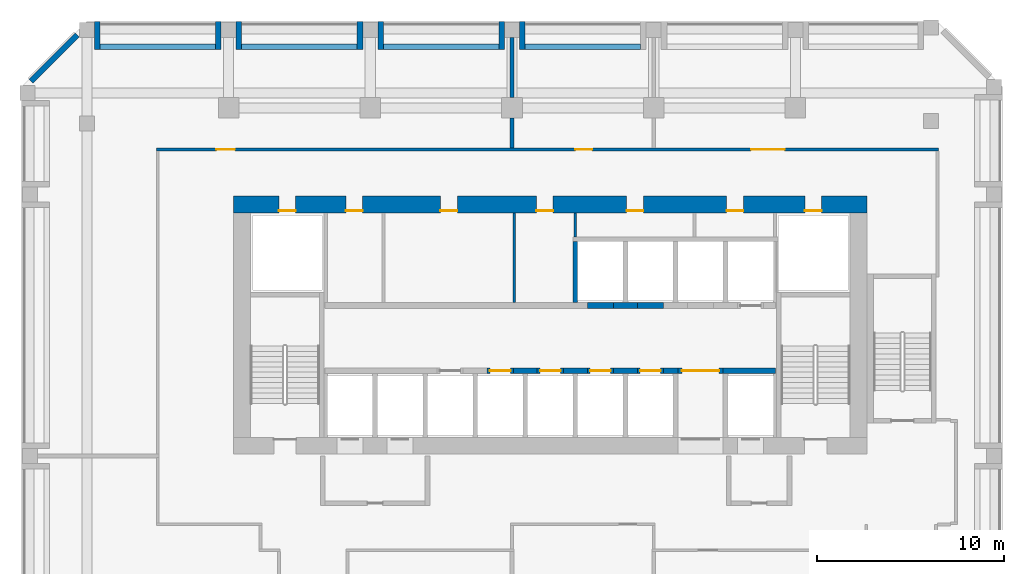
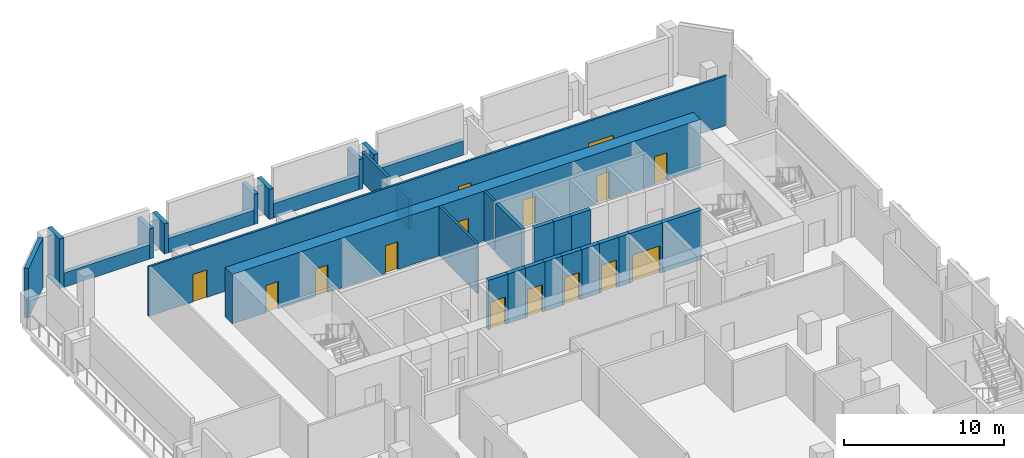
# One storey, part 5 of 10: 32 walls, 15 doors, 15 openings.
"""IFC4 building model written with IfcOpenShell, lengths in metres."""

from ifc_helpers import new_model, si_unit, direction, frame, frame_2d, origin, place, context, subcontext, project, spatial, rectangle, extrude, source, transform, mapped, material, layer, layer_set, type_object, element, fill, save


model = new_model("IFC4")

# Units and contexts
model_context = context("Model", 3, precision=1e-05, world=origin(), true_north=direction((0.0, 1.0)))
body_context = subcontext(model_context, "Body", "Model", "MODEL_VIEW")
ifc_project = project(units=[si_unit("LENGTHUNIT", "METRE"), si_unit("AREAUNIT", "SQUARE_METRE"), si_unit("VOLUMEUNIT", "CUBIC_METRE"), si_unit("PLANEANGLEUNIT", "RADIAN"), si_unit("MASSUNIT", "GRAM", prefix="KILO")], contexts=[model_context])

# Site, building, storey
site_placement = place(None, origin())
site = spatial("IfcSite", under=ifc_project, at=site_placement, CompositionType="ELEMENT")
building_placement = place(site_placement, origin())
building = spatial("IfcBuilding", under=site, at=building_placement, Name="Kilnfold Tower and Market Hall", CompositionType="ELEMENT")
storey_placement = place(building_placement, frame((0.0, 0.0, 164.300048828125)))
storey = spatial("IfcBuildingStorey", under=building, at=storey_placement, Name="L38 Plant Transfer Level", CompositionType="ELEMENT", Elevation=164.300048828125)

# Wall, openings, doors
ifc_material_1 = material(Name="Gypsum board on steel studs", Category="steel")
ifc_layer_1 = layer(ifc_material_1, 0.14990234375)
ifc_layer_set_1 = layer_set([ifc_layer_1], Name="Gypsum board on steel studs")
wall_type_1 = type_object("IfcWallType", Name="WALL CORRIDOR 150", PredefinedType="PARTITIONING", material=ifc_layer_set_1)
wall_1_placement = place(storey_placement, frame((-20.033935546875, 24.39990234375, 0.0), z_axis=(0.0, 0.0, 1.0), x_axis=(1.0, 0.0, 0.0)))
wall_1 = element("IfcWall", 1, at=wall_1_placement, inside=storey, type_object=wall_type_1, Name="Partition LY25.29", PredefinedType="PARTITIONING", context=body_context, shape_type="SweptSolid", body=[
    extrude(rectangle(XDim=41.85888671875, YDim=0.14990234375, at=frame_2d((20.929443359375, 0.0))), origin(), (0.0, 0.0, 1.0), 3.800048828125),
])
opening_1_placement = place(wall_1_placement, frame((3.20703125, 0.0, 0.0)))
opening_1 = element("IfcOpeningElement", 2, at=opening_1_placement, cuts=wall_1, Name="Opening D4", PredefinedType="OPENING", context=body_context, shape_type="SweptSolid", body=[
    extrude(rectangle(XDim=1.0, YDim=2.10009765625, at=frame_2d((0.5, 1.050048828125))), frame((0.0, 0.0849609375, 0.0), z_axis=(0.0, -1.0, 0.0), x_axis=(1.0, 0.0, 0.0)), (0.0, 0.0, 1.0), 0.169921875),
])
opening_2_placement = place(wall_1_placement, frame((22.426025390625, 0.0, 0.0)))
opening_2 = element("IfcOpeningElement", 3, at=opening_2_placement, cuts=wall_1, Name="Opening D3", PredefinedType="OPENING", context=body_context, shape_type="SweptSolid", body=[
    extrude(rectangle(XDim=0.89990234375, YDim=2.10009765625, at=frame_2d((0.449951171875, 1.050048828125))), frame((0.0, 0.0849609375, 0.0), z_axis=(0.0, -1.0, 0.0), x_axis=(1.0, 0.0, 0.0)), (0.0, 0.0, 1.0), 0.169921875),
])
opening_3_placement = place(wall_1_placement, frame((31.826904296875, 0.0, 0.0)))
opening_3 = element("IfcOpeningElement", 4, at=opening_3_placement, cuts=wall_1, Name="Opening D5", PredefinedType="OPENING", context=body_context, shape_type="SweptSolid", body=[
    extrude(rectangle(XDim=1.800048828125, YDim=2.10009765625, at=frame_2d((0.89990234375, 1.050048828125))), frame((0.0, 0.0849609375, 0.0), z_axis=(0.0, -1.0, 0.0), x_axis=(1.0, 0.0, 0.0)), (0.0, 0.0, 1.0), 0.169921875),
])
ifc_material_2 = material(Name="Timber veneer door leaf in steel frame", Category="steel")
door_type_1 = type_object("IfcDoorType", Name="DOOR DOUBLE 1800 X2100", OperationType="NOTDEFINED", PredefinedType="DOOR", material=ifc_material_2)
door_1_placement = place(opening_3_placement, origin())
door_1 = element("IfcDoor", 5, at=door_1_placement, inside=storey, type_object=door_type_1, Name="Door D5", OperationType="DOUBLE_DOOR_SINGLE_SWING", OverallHeight=2.10009765625, OverallWidth=1.800048828125, PredefinedType="DOOR", context=body_context, shape_type="SweptSolid", body=[
    extrude(rectangle(XDim=1.800048828125, YDim=2.10009765625, at=frame_2d((0.89990234375, 1.050048828125))), frame((0.0, 0.02490234375, 0.0), z_axis=(0.0, -1.0, 0.0), x_axis=(1.0, 0.0, 0.0)), (0.0, 0.0, 1.0), 0.050048828125),
])
fill(opening_3, door_1)
ifc_material_3 = material(Name="Timber veneer door leaf in steel frame", Category="steel")
door_type_2 = type_object("IfcDoorType", Name="DOOR SERVICE 1000 X2100", OperationType="NOTDEFINED", PredefinedType="DOOR", material=ifc_material_3)
door_2_placement = place(opening_1_placement, origin())
door_2 = element("IfcDoor", 6, at=door_2_placement, inside=storey, type_object=door_type_2, Name="Door D4", OperationType="SINGLE_SWING_LEFT", OverallHeight=2.10009765625, OverallWidth=1.0, PredefinedType="DOOR", context=body_context, shape_type="SweptSolid", body=[
    extrude(rectangle(XDim=1.0, YDim=2.10009765625, at=frame_2d((0.5, 1.050048828125))), frame((0.0, 0.02490234375, 0.0), z_axis=(0.0, -1.0, 0.0), x_axis=(1.0, 0.0, 0.0)), (0.0, 0.0, 1.0), 0.050048828125),
])
fill(opening_1, door_2)
ifc_material_4 = material(Name="Timber veneer door leaf in steel frame", Category="steel")
door_type_3 = type_object("IfcDoorType", Name="DOOR WC 900 X2100", OperationType="NOTDEFINED", PredefinedType="DOOR", material=ifc_material_4)
door_3_placement = place(opening_2_placement, origin())
door_3 = element("IfcDoor", 7, at=door_3_placement, inside=storey, type_object=door_type_3, Name="Door D3", OperationType="SINGLE_SWING_RIGHT", OverallHeight=2.10009765625, OverallWidth=0.89990234375, PredefinedType="DOOR", context=body_context, shape_type="SweptSolid", body=[
    extrude(rectangle(XDim=0.89990234375, YDim=2.10009765625, at=frame_2d((0.449951171875, 1.050048828125))), frame((0.0, 0.02490234375, 0.0), z_axis=(0.0, -1.0, 0.0), x_axis=(1.0, 0.0, 0.0)), (0.0, 0.0, 1.0), 0.050048828125),
])
fill(opening_2, door_3)

# Walls
ifc_material_5 = material(Name="Gypsum board on steel studs", Category="steel")
ifc_layer_2 = layer(ifc_material_5, 0.199951171875)
ifc_layer_set_2 = layer_set([ifc_layer_2], Name="Gypsum board on steel studs")
wall_type_2 = type_object("IfcWallType", Name="WALL PARTY 200", PredefinedType="PARTITIONING", material=ifc_layer_set_2)
wall_2_placement = place(storey_placement, frame((-1.0, 24.47607421875, 0.0), z_axis=(0.0, 0.0, 1.0), x_axis=(0.0, 1.0, 0.0)))
element("IfcWall", 8, at=wall_2_placement, inside=storey, type_object=wall_type_2, Name="Partition LY25.54", PredefinedType="PARTITIONING", context=body_context, shape_type="SweptSolid", body=[
    extrude(rectangle(XDim=1.598876953125, YDim=0.199951171875, at=frame_2d((0.79931640625, 0.0))), origin(), (0.0, 0.0, 1.0), 2.300048828125),
])
wall_3_placement = place(storey_placement, frame((-1.0, 27.175048828125, 0.0), z_axis=(0.0, 0.0, 1.0), x_axis=(0.0, 1.0, 0.0)))
element("IfcWall", 9, at=wall_3_placement, inside=storey, type_object=wall_type_2, Name="Partition LY25.55", PredefinedType="PARTITIONING", context=body_context, shape_type="SweptSolid", body=[
    extrude(rectangle(XDim=3.224853515625, YDim=0.199951171875, at=frame_2d((1.6123046875, 0.0))), origin(), (0.0, 0.0, 1.0), 2.300048828125),
])
ifc_material_6 = material(Name="Concrete C70", Category="concrete")
ifc_layer_3 = layer(ifc_material_6, 0.300048828125)
ifc_layer_set_3 = layer_set([ifc_layer_3], Name="Concrete C70")
wall_type_3 = type_object("IfcWallType", Name="CORE WALL 300 C70", PredefinedType="SHEAR", material=ifc_layer_set_3)
shared_shape_1 = source(origin(), body_context, "Body", "SweptSolid", [
    extrude(rectangle(XDim=1.280029296875, YDim=0.300048828125, at=frame_2d((0.64013671875, 0.0))), origin(), (0.0, 0.0, 1.0), 3.800048828125),
])
for number, where, z_axis, x_axis, name in (
    (10, (-0.929931640625, 12.550048828125, 0.0), (0.0, 0.0, 1.0), (1.0, 0.0, 0.0), "Core spine wall"),
    (11, (1.75, 12.550048828125, 0.0), (0.0, 0.0, 1.0), (1.0, 0.0, 0.0), "Core spine wall"),
    (12, (4.429931640625, 12.550048828125, 0.0), (0.0, 0.0, 1.0), (1.0, 0.0, 0.0), "Core spine wall"),
    (13, (4.429931640625, 16.050048828125, 0.0), (0.0, 0.0, 1.0), (1.0, 0.0, 0.0), "Core spine wall"),
):
    element("IfcWall", number, at=place(storey_placement, frame(where, z_axis=z_axis, x_axis=x_axis)), inside=storey, type_object=wall_type_3, Name=name, PredefinedType="SHEAR", context=body_context, shape_type="MappedRepresentation", body=[
        mapped(shared_shape_1, transform((0.0, 0.0, 0.0))),
    ])
shared_shape_2 = source(origin(), body_context, "Body", "SweptSolid", [
    extrude(rectangle(XDim=0.77978515625, YDim=0.300048828125, at=frame_2d((0.389892578125, 0.0))), origin(), (0.0, 0.0, 1.0), 3.800048828125),
])
wall_4_placement = place(storey_placement, frame((7.110107421875, 12.550048828125, 0.0), z_axis=(0.0, 0.0, 1.0), x_axis=(1.0, 0.0, 0.0)))
element("IfcWall", 14, at=wall_4_placement, inside=storey, type_object=wall_type_3, Name="Core spine wall", PredefinedType="SHEAR", context=body_context, shape_type="MappedRepresentation", body=[
    mapped(shared_shape_2, transform((0.0, 0.0, 0.0))),
])
shared_shape_3 = source(origin(), body_context, "Body", "SweptSolid", [
    extrude(rectangle(XDim=2.820068359375, YDim=0.300048828125, at=frame_2d((1.41015625, 0.0))), origin(), (0.0, 0.0, 1.0), 3.800048828125),
])
wall_5_placement = place(storey_placement, frame((10.2900390625, 12.550048828125, 0.0), z_axis=(0.0, 0.0, 1.0), x_axis=(1.0, 0.0, 0.0)))
element("IfcWall", 15, at=wall_5_placement, inside=storey, type_object=wall_type_3, Name="Core spine wall", PredefinedType="SHEAR", context=body_context, shape_type="MappedRepresentation", body=[
    mapped(shared_shape_3, transform((0.0, 0.0, 0.0))),
])

# Wall, openings, doors
ifc_material_7 = material(Name="Concrete C70", Category="concrete")
ifc_layer_4 = layer(ifc_material_7, 0.89990234375)
ifc_layer_set_4 = layer_set([ifc_layer_4], Name="Concrete C70")
wall_type_4 = type_object("IfcWallType", Name="CORE WALL 900 C70", PredefinedType="SHEAR", material=ifc_layer_set_4)
shared_shape_4 = source(origin(), body_context, "Body", "SweptSolid", [
    extrude(rectangle(XDim=33.89990234375, YDim=0.89990234375, at=frame_2d((16.949951171875, 0.0))), origin(), (0.0, 0.0, 1.0), 3.800048828125),
])
wall_6_placement = place(storey_placement, frame((-15.89990234375, 21.449951171875, 0.0), z_axis=(0.0, 0.0, 1.0), x_axis=(1.0, 0.0, 0.0)))
wall_6 = element("IfcWall", 16, at=wall_6_placement, inside=storey, type_object=wall_type_4, Name="Core outer wall north", PredefinedType="SHEAR", context=body_context, shape_type="MappedRepresentation", body=[
    mapped(shared_shape_4, transform((0.0, 0.0, 0.0))),
])
opening_4_placement = place(wall_6_placement, frame((6.0078125, 0.0, 0.0)))
opening_4 = element("IfcOpeningElement", 17, at=opening_4_placement, cuts=wall_6, Name="Opening KD1", PredefinedType="OPENING", context=body_context, shape_type="SweptSolid", body=[
    extrude(rectangle(XDim=0.89990234375, YDim=2.10009765625, at=frame_2d((0.449951171875, 1.050048828125))), frame((0.0, 0.4599609375, 0.0), z_axis=(0.0, -1.0, 0.0), x_axis=(1.0, 0.0, 0.0)), (0.0, 0.0, 1.0), 0.919921875),
])
opening_5_placement = place(wall_6_placement, frame((11.072998046875, 0.0, 0.0)))
opening_5 = element("IfcOpeningElement", 18, at=opening_5_placement, cuts=wall_6, Name="Opening KD1", PredefinedType="OPENING", context=body_context, shape_type="SweptSolid", body=[
    extrude(rectangle(XDim=0.89990234375, YDim=2.10009765625, at=frame_2d((0.449951171875, 1.050048828125))), frame((0.0, 0.4599609375, 0.0), z_axis=(0.0, -1.0, 0.0), x_axis=(1.0, 0.0, 0.0)), (0.0, 0.0, 1.0), 0.919921875),
])
opening_6_placement = place(wall_6_placement, frame((16.205078125, 0.0, 0.0)))
opening_6 = element("IfcOpeningElement", 19, at=opening_6_placement, cuts=wall_6, Name="Opening KD1", PredefinedType="OPENING", context=body_context, shape_type="SweptSolid", body=[
    extrude(rectangle(XDim=0.89990234375, YDim=2.10009765625, at=frame_2d((0.449951171875, 1.050048828125))), frame((0.0, 0.4599609375, 0.0), z_axis=(0.0, -1.0, 0.0), x_axis=(1.0, 0.0, 0.0)), (0.0, 0.0, 1.0), 0.919921875),
])
opening_7_placement = place(wall_6_placement, frame((21.029296875, 0.0, 0.0)))
opening_7 = element("IfcOpeningElement", 20, at=opening_7_placement, cuts=wall_6, Name="Opening KD1", PredefinedType="OPENING", context=body_context, shape_type="SweptSolid", body=[
    extrude(rectangle(XDim=0.89990234375, YDim=2.10009765625, at=frame_2d((0.449951171875, 1.050048828125))), frame((0.0, 0.4599609375, 0.0), z_axis=(0.0, -1.0, 0.0), x_axis=(1.0, 0.0, 0.0)), (0.0, 0.0, 1.0), 0.919921875),
])
opening_8_placement = place(wall_6_placement, frame((26.38916015625, 0.0, 0.0)))
opening_8 = element("IfcOpeningElement", 21, at=opening_8_placement, cuts=wall_6, Name="Opening KD1", PredefinedType="OPENING", context=body_context, shape_type="SweptSolid", body=[
    extrude(rectangle(XDim=0.89990234375, YDim=2.10009765625, at=frame_2d((0.449951171875, 1.050048828125))), frame((0.0, 0.4599609375, 0.0), z_axis=(0.0, -1.0, 0.0), x_axis=(1.0, 0.0, 0.0)), (0.0, 0.0, 1.0), 0.919921875),
])
opening_9_placement = place(wall_6_placement, frame((2.425048828125, 0.0, 0.0)))
opening_9 = element("IfcOpeningElement", 22, at=opening_9_placement, cuts=wall_6, Name="Opening KD1", PredefinedType="OPENING", context=body_context, shape_type="SweptSolid", body=[
    extrude(rectangle(XDim=0.89990234375, YDim=2.10009765625, at=frame_2d((0.449951171875, 1.050048828125))), frame((0.0, 0.4599609375, 0.0), z_axis=(0.0, -1.0, 0.0), x_axis=(1.0, 0.0, 0.0)), (0.0, 0.0, 1.0), 0.919921875),
])
opening_10_placement = place(wall_6_placement, frame((30.574951171875, 0.0, 0.0)))
opening_10 = element("IfcOpeningElement", 23, at=opening_10_placement, cuts=wall_6, Name="Opening KD1", PredefinedType="OPENING", context=body_context, shape_type="SweptSolid", body=[
    extrude(rectangle(XDim=0.89990234375, YDim=2.10009765625, at=frame_2d((0.449951171875, 1.050048828125))), frame((0.0, 0.4599609375, 0.0), z_axis=(0.0, -1.0, 0.0), x_axis=(1.0, 0.0, 0.0)), (0.0, 0.0, 1.0), 0.919921875),
])
ifc_material_8 = material(Name="Steel door set with fire-resisting leaf", Category="steel")
door_type_4 = type_object("IfcDoorType", Name="SERVICE DOOR 900X2100", OperationType="NOTDEFINED", PredefinedType="DOOR", material=ifc_material_8)
door_4_placement = place(opening_4_placement, origin())
door_4 = element("IfcDoor", 24, at=door_4_placement, inside=storey, type_object=door_type_4, Name="Core service door", OperationType="SINGLE_SWING_RIGHT", OverallHeight=2.10009765625, OverallWidth=0.89990234375, PredefinedType="DOOR", context=body_context, shape_type="SweptSolid", body=[
    extrude(rectangle(XDim=0.89990234375, YDim=2.10009765625, at=frame_2d((0.449951171875, 1.050048828125))), frame((0.0, -0.30517578125, 0.0), z_axis=(0.0, -1.0, 0.0), x_axis=(1.0, 0.0, 0.0)), (0.0, 0.0, 1.0), 0.050048828125),
])
fill(opening_4, door_4)
door_5_placement = place(opening_5_placement, origin())
door_5 = element("IfcDoor", 25, at=door_5_placement, inside=storey, type_object=door_type_4, Name="Core service door", OperationType="SINGLE_SWING_LEFT", OverallHeight=2.10009765625, OverallWidth=0.89990234375, PredefinedType="DOOR", context=body_context, shape_type="SweptSolid", body=[
    extrude(rectangle(XDim=0.89990234375, YDim=2.10009765625, at=frame_2d((0.449951171875, 1.050048828125))), frame((0.0, -0.30517578125, 0.0), z_axis=(0.0, -1.0, 0.0), x_axis=(1.0, 0.0, 0.0)), (0.0, 0.0, 1.0), 0.050048828125),
])
fill(opening_5, door_5)
door_6_placement = place(opening_6_placement, origin())
door_6 = element("IfcDoor", 26, at=door_6_placement, inside=storey, type_object=door_type_4, Name="Core service door", OperationType="SINGLE_SWING_RIGHT", OverallHeight=2.10009765625, OverallWidth=0.89990234375, PredefinedType="DOOR", context=body_context, shape_type="SweptSolid", body=[
    extrude(rectangle(XDim=0.89990234375, YDim=2.10009765625, at=frame_2d((0.449951171875, 1.050048828125))), frame((0.0, -0.30517578125, 0.0), z_axis=(0.0, -1.0, 0.0), x_axis=(1.0, 0.0, 0.0)), (0.0, 0.0, 1.0), 0.050048828125),
])
fill(opening_6, door_6)
door_7_placement = place(opening_7_placement, origin())
door_7 = element("IfcDoor", 27, at=door_7_placement, inside=storey, type_object=door_type_4, Name="Core service door", OperationType="SINGLE_SWING_LEFT", OverallHeight=2.10009765625, OverallWidth=0.89990234375, PredefinedType="DOOR", context=body_context, shape_type="SweptSolid", body=[
    extrude(rectangle(XDim=0.89990234375, YDim=2.10009765625, at=frame_2d((0.449951171875, 1.050048828125))), frame((0.0, -0.30517578125, 0.0), z_axis=(0.0, -1.0, 0.0), x_axis=(1.0, 0.0, 0.0)), (0.0, 0.0, 1.0), 0.050048828125),
])
fill(opening_7, door_7)
door_8_placement = place(opening_8_placement, origin())
door_8 = element("IfcDoor", 28, at=door_8_placement, inside=storey, type_object=door_type_4, Name="Core service door", OperationType="SINGLE_SWING_RIGHT", OverallHeight=2.10009765625, OverallWidth=0.89990234375, PredefinedType="DOOR", context=body_context, shape_type="SweptSolid", body=[
    extrude(rectangle(XDim=0.89990234375, YDim=2.10009765625, at=frame_2d((0.449951171875, 1.050048828125))), frame((0.0, -0.30517578125, 0.0), z_axis=(0.0, -1.0, 0.0), x_axis=(1.0, 0.0, 0.0)), (0.0, 0.0, 1.0), 0.050048828125),
])
fill(opening_8, door_8)
door_9_placement = place(opening_9_placement, origin())
door_9 = element("IfcDoor", 29, at=door_9_placement, inside=storey, type_object=door_type_4, Name="Electrical riser access door", OperationType="SINGLE_SWING_LEFT", OverallHeight=2.10009765625, OverallWidth=0.89990234375, PredefinedType="DOOR", context=body_context, shape_type="SweptSolid", body=[
    extrude(rectangle(XDim=0.89990234375, YDim=2.10009765625, at=frame_2d((0.449951171875, 1.050048828125))), frame((0.0, -0.30517578125, 0.0), z_axis=(0.0, -1.0, 0.0), x_axis=(1.0, 0.0, 0.0)), (0.0, 0.0, 1.0), 0.050048828125),
])
fill(opening_9, door_9)
door_10_placement = place(opening_10_placement, origin())
door_10 = element("IfcDoor", 30, at=door_10_placement, inside=storey, type_object=door_type_4, Name="Mechanical riser access door", OperationType="SINGLE_SWING_RIGHT", OverallHeight=2.10009765625, OverallWidth=0.89990234375, PredefinedType="DOOR", context=body_context, shape_type="SweptSolid", body=[
    extrude(rectangle(XDim=0.89990234375, YDim=2.10009765625, at=frame_2d((0.449951171875, 1.050048828125))), frame((0.0, -0.30517578125, 0.0), z_axis=(0.0, -1.0, 0.0), x_axis=(1.0, 0.0, 0.0)), (0.0, 0.0, 1.0), 0.050048828125),
])
fill(opening_10, door_10)

# Walls
ifc_material_9 = material(Name="Precast concrete C50/60", Category="concrete")
ifc_layer_5 = layer(ifc_material_9, 0.300048828125)
ifc_layer_set_5 = layer_set([ifc_layer_5], Name="Precast concrete C50/60")
wall_type_5 = type_object("IfcWallType", Name="PRECAST WALL 300", PredefinedType="SOLIDWALL", material=ifc_layer_set_5)
shared_shape_5 = source(origin(), body_context, "Body", "SweptSolid", [
    extrude(rectangle(XDim=1.5, YDim=0.300048828125, at=frame_2d((0.75, 0.0))), origin(), (0.0, 0.0, 1.0), 2.300048828125),
])
for number, where, z_axis, x_axis, name in (
    (31, (-0.449951171875, 31.25, 0.0), (0.0, 0.0, 1.0), (0.0, -1.0, 0.0), "Plant wall L38 N"),
    (32, (-1.550048828125, 31.25, 0.0), (0.0, 0.0, 1.0), (0.0, -1.0, 0.0), "Plant wall L38 N"),
    (33, (-8.033203125, 31.25, 0.0), (0.0, 0.0, 1.0), (0.0, -1.0, 0.0), "Plant wall L38 N"),
    (34, (-9.13330078125, 31.25, 0.0), (0.0, 0.0, 1.0), (0.0, -1.0, 0.0), "Plant wall L38 N"),
    (35, (-15.61669921875, 31.25, 0.0), (0.0, 0.0, 1.0), (0.0, -1.0, 0.0), "Plant wall L38 N"),
    (36, (-16.716796875, 31.25, 0.0), (0.0, 0.0, 1.0), (0.0, -1.0, 0.0), "Plant wall L38 N"),
):
    element("IfcWall", number, at=place(storey_placement, frame(where, z_axis=z_axis, x_axis=x_axis)), inside=storey, type_object=wall_type_5, Name=name, PredefinedType="SOLIDWALL", context=body_context, shape_type="MappedRepresentation", body=[
        mapped(shared_shape_5, transform((0.0, 0.0, 0.0))),
    ])
shared_shape_6 = source(origin(), body_context, "Body", "SweptSolid", [
    extrude(rectangle(XDim=1.5, YDim=0.300048828125, at=frame_2d((0.75, 0.0))), origin(), (0.0, 0.0, 1.0), 3.800048828125),
])
wall_7_placement = place(storey_placement, frame((-23.199951171875, 31.25, 0.0), z_axis=(0.0, 0.0, 1.0), x_axis=(0.0, -1.0, 0.0)))
element("IfcWall", 37, at=wall_7_placement, inside=storey, type_object=wall_type_5, Name="Plant wall L38 N", PredefinedType="SOLIDWALL", context=body_context, shape_type="MappedRepresentation", body=[
    mapped(shared_shape_6, transform((0.0, 0.0, 0.0))),
])
shared_shape_7 = source(origin(), body_context, "Body", "SweptSolid", [
    extrude(rectangle(XDim=6.183349609375, YDim=0.300048828125, at=frame_2d((3.091796875, 0.0))), origin(), (0.0, 0.0, 1.0), 1.099853515625),
])
for number, where, z_axis, x_axis, name in (
    (38, (5.88330078125, 29.89990234375, 0.0), (0.0, 0.0, 1.0), (-1.0, 0.0, 0.0), "Knee wall L38 N"),
    (39, (-1.699951171875, 29.89990234375, 0.0), (0.0, 0.0, 1.0), (-1.0, 0.0, 0.0), "Knee wall L38 N"),
    (40, (-16.86669921875, 29.89990234375, 0.0), (0.0, 0.0, 1.0), (-1.0, 0.0, 0.0), "Knee wall L38 N"),
):
    element("IfcWall", number, at=place(storey_placement, frame(where, z_axis=z_axis, x_axis=x_axis)), inside=storey, type_object=wall_type_5, Name=name, PredefinedType="SOLIDWALL", context=body_context, shape_type="MappedRepresentation", body=[
        mapped(shared_shape_7, transform((0.0, 0.0, 0.0))),
    ])
shared_shape_8 = source(origin(), body_context, "Body", "SweptSolid", [
    extrude(rectangle(XDim=6.18359375, YDim=0.300048828125, at=frame_2d((3.091796875, 0.0))), origin(), (0.0, 0.0, 1.0), 1.099853515625),
])
wall_8_placement = place(storey_placement, frame((-9.283203125, 29.89990234375, 0.0), z_axis=(0.0, 0.0, 1.0), x_axis=(-1.0, 0.0, 0.0)))
element("IfcWall", 41, at=wall_8_placement, inside=storey, type_object=wall_type_5, Name="Knee wall L38 N", PredefinedType="SOLIDWALL", context=body_context, shape_type="MappedRepresentation", body=[
    mapped(shared_shape_8, transform((0.0, 0.0, 0.0))),
])
shared_shape_9 = source(origin(), body_context, "Body", "SweptSolid", [
    extrude(rectangle(XDim=3.500244140625, YDim=0.300048828125, at=frame_2d((1.75, 0.0))), origin(), (0.0, 0.0, 1.0), 3.800048828125),
])
wall_9_placement = place(storey_placement, frame((-24.268798828125, 30.518798828125, 0.0), z_axis=(0.0, 0.0, 1.0), x_axis=(-0.707141656123, -0.70707190453, 0.0)))
element("IfcWall", 42, at=wall_9_placement, inside=storey, type_object=wall_type_5, Name="Plant wall L38 NW", PredefinedType="SOLIDWALL", context=body_context, shape_type="MappedRepresentation", body=[
    mapped(shared_shape_9, transform((0.0, 0.0, 0.0))),
])

# Wall, opening, door
ifc_material_10 = material(Name="Gypsum shaft wall system")
ifc_layer_6 = layer(ifc_material_10, 0.300048828125)
ifc_layer_set_6 = layer_set([ifc_layer_6], Name="Gypsum shaft wall system")
wall_type_6 = type_object("IfcWallType", Name="SHAFT WALL 300", PredefinedType="PARTITIONING", material=ifc_layer_set_6)
shared_shape_10 = source(origin(), body_context, "Body", "SweptSolid", [
    extrude(rectangle(XDim=1.39990234375, YDim=0.300048828125, at=frame_2d((0.699951171875, 0.0))), origin(), (0.0, 0.0, 1.0), 3.800048828125),
])
wall_10_placement = place(storey_placement, frame((0.35009765625, 12.550048828125, 0.0), z_axis=(0.0, 0.0, 1.0), x_axis=(1.0, 0.0, 0.0)))
wall_10 = element("IfcWall", 43, at=wall_10_placement, inside=storey, type_object=wall_type_6, Name="Lift shaft front wall", PredefinedType="PARTITIONING", context=body_context, shape_type="MappedRepresentation", body=[
    mapped(shared_shape_10, transform((0.0, 0.0, 0.0))),
])
opening_11_placement = place(wall_10_placement, frame((0.14990234375, 0.0, 0.0)))
opening_11 = element("IfcOpeningElement", 44, at=opening_11_placement, cuts=wall_10, Name="Opening LD2", PredefinedType="OPENING", context=body_context, shape_type="SweptSolid", body=[
    extrude(rectangle(XDim=1.10009765625, YDim=2.10009765625, at=frame_2d((0.550048828125, 1.050048828125))), frame((0.0, 0.16015625, 0.0), z_axis=(0.0, -1.0, 0.0), x_axis=(1.0, 0.0, 0.0)), (0.0, 0.0, 1.0), 0.320068359375),
])
ifc_material_11 = material(Name="Steel door set with fire-resisting leaf", Category="steel")
door_type_5 = type_object("IfcDoorType", Name="LANDING DOOR 1100X2100", OperationType="NOTDEFINED", PredefinedType="DOOR", material=ifc_material_11)
door_11_placement = place(opening_11_placement, origin())
door_11 = element("IfcDoor", 45, at=door_11_placement, inside=storey, type_object=door_type_5, Name="Landing door MR3", OperationType="DOUBLE_DOOR_SLIDING", OverallHeight=2.10009765625, OverallWidth=1.10009765625, PredefinedType="DOOR", context=body_context, shape_type="SweptSolid", body=[
    extrude(rectangle(XDim=1.10009765625, YDim=2.10009765625, at=frame_2d((0.550048828125, 1.050048828125))), frame((0.0, 0.02490234375, 0.0), z_axis=(0.0, -1.0, 0.0), x_axis=(1.0, 0.0, 0.0)), (0.0, 0.0, 1.0), 0.050048828125),
])
fill(opening_11, door_11)

wall_11_placement = place(storey_placement, frame((3.030029296875, 12.550048828125, 0.0), z_axis=(0.0, 0.0, 1.0), x_axis=(1.0, 0.0, 0.0)))
wall_11 = element("IfcWall", 46, at=wall_11_placement, inside=storey, type_object=wall_type_6, Name="Lift shaft front wall", PredefinedType="PARTITIONING", context=body_context, shape_type="MappedRepresentation", body=[
    mapped(shared_shape_10, transform((0.0, 0.0, 0.0))),
])
opening_12_placement = place(wall_11_placement, frame((0.14990234375, 0.0, 0.0)))
opening_12 = element("IfcOpeningElement", 47, at=opening_12_placement, cuts=wall_11, Name="Opening LD2", PredefinedType="OPENING", context=body_context, shape_type="SweptSolid", body=[
    extrude(rectangle(XDim=1.10009765625, YDim=2.10009765625, at=frame_2d((0.550048828125, 1.050048828125))), frame((0.0, 0.16015625, 0.0), z_axis=(0.0, -1.0, 0.0), x_axis=(1.0, 0.0, 0.0)), (0.0, 0.0, 1.0), 0.320068359375),
])
door_12_placement = place(opening_12_placement, origin())
door_12 = element("IfcDoor", 48, at=door_12_placement, inside=storey, type_object=door_type_5, Name="Landing door MR4", OperationType="DOUBLE_DOOR_SLIDING", OverallHeight=2.10009765625, OverallWidth=1.10009765625, PredefinedType="DOOR", context=body_context, shape_type="SweptSolid", body=[
    extrude(rectangle(XDim=1.10009765625, YDim=2.10009765625, at=frame_2d((0.550048828125, 1.050048828125))), frame((0.0, 0.02490234375, 0.0), z_axis=(0.0, -1.0, 0.0), x_axis=(1.0, 0.0, 0.0)), (0.0, 0.0, 1.0), 0.050048828125),
])
fill(opening_12, door_12)

# Wall
wall_12_placement = place(storey_placement, frame((3.030029296875, 16.050048828125, 0.0), z_axis=(0.0, 0.0, 1.0), x_axis=(1.0, 0.0, 0.0)))
element("IfcWall", 49, at=wall_12_placement, inside=storey, type_object=wall_type_6, Name="Lift shaft front wall", PredefinedType="PARTITIONING", context=body_context, shape_type="MappedRepresentation", body=[
    mapped(shared_shape_10, transform((0.0, 0.0, 0.0))),
])

# Wall, opening, door
shared_shape_11 = source(origin(), body_context, "Body", "SweptSolid", [
    extrude(rectangle(XDim=1.400146484375, YDim=0.300048828125, at=frame_2d((0.7001953125, 0.0))), origin(), (0.0, 0.0, 1.0), 3.800048828125),
])
wall_13_placement = place(storey_placement, frame((-2.330078125, 12.550048828125, 0.0), z_axis=(0.0, 0.0, 1.0), x_axis=(1.0, 0.0, 0.0)))
wall_13 = element("IfcWall", 50, at=wall_13_placement, inside=storey, type_object=wall_type_6, Name="Lift shaft front wall", PredefinedType="PARTITIONING", context=body_context, shape_type="MappedRepresentation", body=[
    mapped(shared_shape_11, transform((0.0, 0.0, 0.0))),
])
opening_13_placement = place(wall_13_placement, frame((0.14990234375, 0.0, 0.0)))
opening_13 = element("IfcOpeningElement", 51, at=opening_13_placement, cuts=wall_13, Name="Opening LD2", PredefinedType="OPENING", context=body_context, shape_type="SweptSolid", body=[
    extrude(rectangle(XDim=1.10009765625, YDim=2.10009765625, at=frame_2d((0.550048828125, 1.050048828125))), frame((0.0, 0.16015625, 0.0), z_axis=(0.0, -1.0, 0.0), x_axis=(1.0, 0.0, 0.0)), (0.0, 0.0, 1.0), 0.320068359375),
])
door_13_placement = place(opening_13_placement, origin())
door_13 = element("IfcDoor", 52, at=door_13_placement, inside=storey, type_object=door_type_5, Name="Landing door MR2", OperationType="DOUBLE_DOOR_SLIDING", OverallHeight=2.10009765625, OverallWidth=1.10009765625, PredefinedType="DOOR", context=body_context, shape_type="SweptSolid", body=[
    extrude(rectangle(XDim=1.10009765625, YDim=2.10009765625, at=frame_2d((0.550048828125, 1.050048828125))), frame((0.0, 0.02490234375, 0.0), z_axis=(0.0, -1.0, 0.0), x_axis=(1.0, 0.0, 0.0)), (0.0, 0.0, 1.0), 0.050048828125),
])
fill(opening_13, door_13)

wall_14_placement = place(storey_placement, frame((5.7099609375, 12.550048828125, 0.0), z_axis=(0.0, 0.0, 1.0), x_axis=(1.0, 0.0, 0.0)))
wall_14 = element("IfcWall", 53, at=wall_14_placement, inside=storey, type_object=wall_type_6, Name="Lift shaft front wall", PredefinedType="PARTITIONING", context=body_context, shape_type="MappedRepresentation", body=[
    mapped(shared_shape_11, transform((0.0, 0.0, 0.0))),
])
opening_14_placement = place(wall_14_placement, frame((0.14990234375, 0.0, 0.0)))
opening_14 = element("IfcOpeningElement", 54, at=opening_14_placement, cuts=wall_14, Name="Opening LD2", PredefinedType="OPENING", context=body_context, shape_type="SweptSolid", body=[
    extrude(rectangle(XDim=1.10009765625, YDim=2.10009765625, at=frame_2d((0.550048828125, 1.050048828125))), frame((0.0, 0.16015625, 0.0), z_axis=(0.0, -1.0, 0.0), x_axis=(1.0, 0.0, 0.0)), (0.0, 0.0, 1.0), 0.320068359375),
])
door_14_placement = place(opening_14_placement, origin())
door_14 = element("IfcDoor", 55, at=door_14_placement, inside=storey, type_object=door_type_5, Name="Landing door MR5", OperationType="DOUBLE_DOOR_SLIDING", OverallHeight=2.10009765625, OverallWidth=1.10009765625, PredefinedType="DOOR", context=body_context, shape_type="SweptSolid", body=[
    extrude(rectangle(XDim=1.10009765625, YDim=2.10009765625, at=frame_2d((0.550048828125, 1.050048828125))), frame((0.0, 0.02490234375, 0.0), z_axis=(0.0, -1.0, 0.0), x_axis=(1.0, 0.0, 0.0)), (0.0, 0.0, 1.0), 0.050048828125),
])
fill(opening_14, door_14)

# Wall
wall_15_placement = place(storey_placement, frame((5.7099609375, 16.050048828125, 0.0), z_axis=(0.0, 0.0, 1.0), x_axis=(1.0, 0.0, 0.0)))
element("IfcWall", 56, at=wall_15_placement, inside=storey, type_object=wall_type_6, Name="Lift shaft front wall", PredefinedType="PARTITIONING", context=body_context, shape_type="MappedRepresentation", body=[
    mapped(shared_shape_11, transform((0.0, 0.0, 0.0))),
])

# Wall, opening, door
shared_shape_12 = source(origin(), body_context, "Body", "SweptSolid", [
    extrude(rectangle(XDim=2.400146484375, YDim=0.300048828125, at=frame_2d((1.2001953125, 0.0))), origin(), (0.0, 0.0, 1.0), 3.800048828125),
])
wall_16_placement = place(storey_placement, frame((7.889892578125, 12.550048828125, 0.0), z_axis=(0.0, 0.0, 1.0), x_axis=(1.0, 0.0, 0.0)))
wall_16 = element("IfcWall", 57, at=wall_16_placement, inside=storey, type_object=wall_type_6, Name="Lift shaft front wall", PredefinedType="PARTITIONING", context=body_context, shape_type="MappedRepresentation", body=[
    mapped(shared_shape_12, transform((0.0, 0.0, 0.0))),
])
opening_15_placement = place(wall_16_placement, frame((0.199951171875, 0.0, 0.0)))
opening_15 = element("IfcOpeningElement", 58, at=opening_15_placement, cuts=wall_16, Name="Opening VD2", PredefinedType="OPENING", context=body_context, shape_type="SweptSolid", body=[
    extrude(rectangle(XDim=2.0, YDim=2.10009765625, at=frame_2d((1.0, 1.050048828125))), frame((0.0, 0.16015625, 0.0), z_axis=(0.0, -1.0, 0.0), x_axis=(1.0, 0.0, 0.0)), (0.0, 0.0, 1.0), 0.320068359375),
])
ifc_material_12 = material(Name="Steel door set with fire-resisting leaf", Category="steel")
door_type_6 = type_object("IfcDoorType", Name="LIFT LOBBY ENTRANCE DOOR 2000X2100", OperationType="NOTDEFINED", PredefinedType="DOOR", material=ifc_material_12)
door_15_placement = place(opening_15_placement, origin())
door_15 = element("IfcDoor", 59, at=door_15_placement, inside=storey, type_object=door_type_6, Name="Lift lobby entrance door", OperationType="DOUBLE_DOOR_SINGLE_SWING", OverallHeight=2.10009765625, OverallWidth=2.0, PredefinedType="DOOR", context=body_context, shape_type="SweptSolid", body=[
    extrude(rectangle(XDim=2.0, YDim=2.10009765625, at=frame_2d((1.0, 1.050048828125))), frame((0.0, 0.02490234375, 0.0), z_axis=(0.0, -1.0, 0.0), x_axis=(1.0, 0.0, 0.0)), (0.0, 0.0, 1.0), 0.050048828125),
])
fill(opening_15, door_15)

# Walls
ifc_material_13 = material(Name="Gypsum shaft wall system")
ifc_layer_7 = layer(ifc_material_13, 0.25)
ifc_layer_set_7 = layer_set([ifc_layer_7], Name="Gypsum shaft wall system")
wall_type_7 = type_object("IfcWallType", Name="SHAFT WALL 250", PredefinedType="PARTITIONING", material=ifc_layer_set_7)
shared_shape_13 = source(origin(), body_context, "Body", "SweptSolid", [
    extrude(rectangle(XDim=3.275146484375, YDim=0.25, at=frame_2d((1.6376953125, 0.0))), origin(), (0.0, 0.0, 1.0), 3.800048828125),
])
wall_17_placement = place(storey_placement, frame((2.389892578125, 16.199951171875, 0.0), z_axis=(0.0, 0.0, 1.0), x_axis=(0.0, 1.0, 0.0)))
element("IfcWall", 60, at=wall_17_placement, inside=storey, type_object=wall_type_7, Name="Lift shaft wall", PredefinedType="PARTITIONING", context=body_context, shape_type="MappedRepresentation", body=[
    mapped(shared_shape_13, transform((0.0, 0.0, 0.0))),
])
ifc_material_14 = material(Name="Gypsum shaft wall system")
ifc_layer_8 = layer(ifc_material_14, 0.14990234375)
ifc_layer_set_8 = layer_set([ifc_layer_8], Name="Gypsum shaft wall system")
wall_type_8 = type_object("IfcWallType", Name="ROOM WALL 150", PredefinedType="PARTITIONING", material=ifc_layer_set_8)
shared_shape_14 = source(origin(), body_context, "Body", "SweptSolid", [
    extrude(rectangle(XDim=1.27490234375, YDim=0.14990234375, at=frame_2d((0.637451171875, 0.0))), origin(), (0.0, 0.0, 1.0), 3.800048828125),
])
wall_18_placement = place(storey_placement, frame((2.389892578125, 19.72509765625, 0.0), z_axis=(0.0, 0.0, 1.0), x_axis=(0.0, 1.0, 0.0)))
element("IfcWall", 61, at=wall_18_placement, inside=storey, type_object=wall_type_8, Name="Core room wall", PredefinedType="PARTITIONING", context=body_context, shape_type="MappedRepresentation", body=[
    mapped(shared_shape_14, transform((0.0, 0.0, 0.0))),
])
shared_shape_15 = source(origin(), body_context, "Body", "SweptSolid", [
    extrude(rectangle(XDim=4.800048828125, YDim=0.14990234375, at=frame_2d((2.39990234375, 0.0))), origin(), (0.0, 0.0, 1.0), 3.800048828125),
])
wall_19_placement = place(storey_placement, frame((-0.879638671875, 16.199951171875, 0.0), z_axis=(0.0, 0.0, 1.0), x_axis=(0.0, 1.0, 0.0)))
element("IfcWall", 62, at=wall_19_placement, inside=storey, type_object=wall_type_8, Name="Core room wall", PredefinedType="PARTITIONING", context=body_context, shape_type="MappedRepresentation", body=[
    mapped(shared_shape_15, transform((0.0, 0.0, 0.0))),
])

save(model, "model.ifc")
